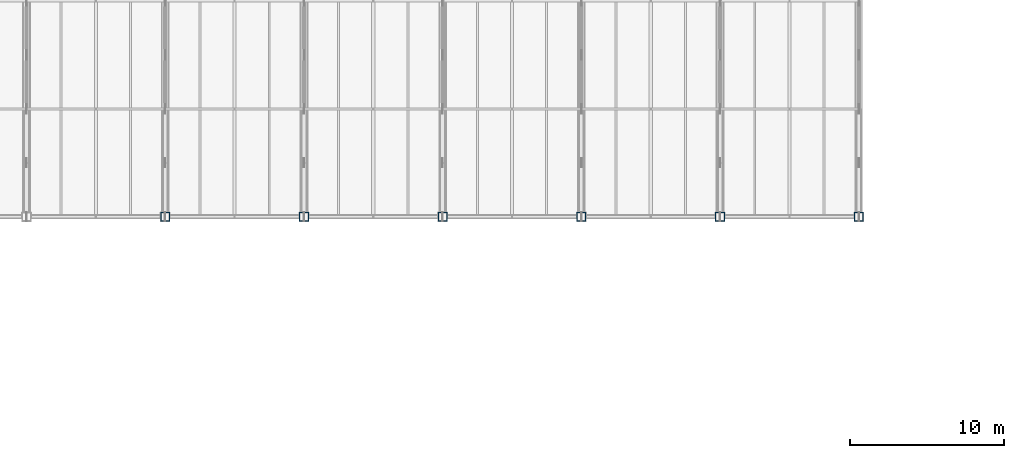
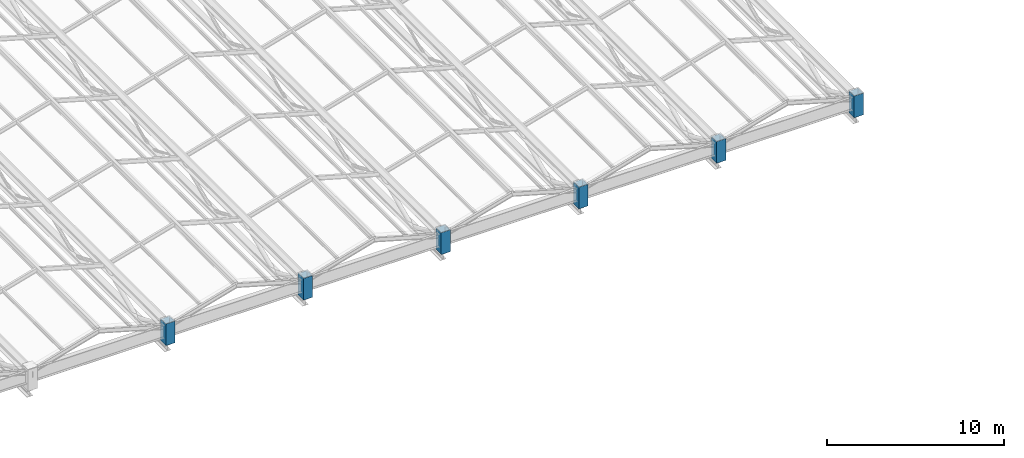
# One storey, part 7 of 108: 6 columns.
"""IFC4 building model written with IfcOpenShell, lengths in metres."""

import ifcopenshell
import ifcopenshell.guid

model = None  # the IFC model being written
_history = None  # IfcOwnerHistory: only IFC2X3 demands one
_inside = {}  # id of a spatial element -> (the spatial element, [elements in it])
_under = {}  # id of a project, library or spatial element -> (it, [spatial elements below it])
_declared = {}  # id of a project -> (the project, [libraries it declares])
_typed = {}  # id of a type object -> (the type object, [elements of that type])
_made_of = {}  # id of a material, layer set ... -> (it, [elements and type objects made of it])


def new_model(schema):
    """Start an empty IFC model of exactly this schema.

    Asked for "IFC4X3", IfcOpenShell would pick the latest addendum, in which some entities
    have other attributes; the version numbers below select the first issue.
    IFC2X3 requires an IfcOwnerHistory on every rooted entity: one is made here for all.
    """
    global model, _history
    if schema == "IFC4X3":
        model = ifcopenshell.file(schema_version=(4, 3, 0, 0))
    else:
        model = ifcopenshell.file(schema=schema)
    _inside.clear()
    _under.clear()
    _declared.clear()
    _typed.clear()
    _made_of.clear()
    _history = None
    if model.schema == "IFC2X3":
        org = make("IfcOrganization", Name="unknown")
        user = make(
            "IfcPersonAndOrganization",
            ThePerson=make("IfcPerson", FamilyName="unknown"),
            TheOrganization=org,
        )
        app = make(
            "IfcApplication",
            ApplicationDeveloper=org,
            Version="unknown",
            ApplicationFullName="unknown",
            ApplicationIdentifier="unknown",
        )
        _history = make(
            "IfcOwnerHistory",
            OwningUser=user,
            OwningApplication=app,
            ChangeAction="ADDED",
            CreationDate=0,
        )
    return model


def make(cls, **values):
    """One entity of the class cls with the attributes given. An attribute that is None is left unset."""
    return model.create_entity(
        cls, **{name: value for name, value in values.items() if value is not None}
    )


def rooted(cls, **values):
    """An entity with a GlobalId (a new one), such as an element, a storey or a relation."""
    return make(cls, GlobalId=ifcopenshell.guid.new(), OwnerHistory=_history, **values)


def si_unit(unit_type, name, prefix=None):
    """IfcSIUnit, for example si_unit("LENGTHUNIT", "METRE", prefix="MILLI")."""
    return make("IfcSIUnit", UnitType=unit_type, Prefix=prefix, Name=name)


def assignment(units):
    """IfcUnitAssignment: the units of a project."""
    return None if units is None else make("IfcUnitAssignment", Units=units)


def point(xyz):
    """IfcCartesianPoint."""
    return None if xyz is None else make("IfcCartesianPoint", Coordinates=xyz)


def direction(xyz):
    """IfcDirection."""
    return None if xyz is None else make("IfcDirection", DirectionRatios=xyz)


def frame(location, z_axis=None, x_axis=None):
    """IfcAxis2Placement3D, a coordinate frame: its origin and axes. An axis left out is left unset."""
    return make(
        "IfcAxis2Placement3D",
        Location=point(location),
        Axis=direction(z_axis),
        RefDirection=direction(x_axis),
    )


def frame_2d(location, x_axis=None):
    """IfcAxis2Placement2D, a coordinate frame in the plane: its origin and x axis."""
    return make(
        "IfcAxis2Placement2D", Location=point(location), RefDirection=direction(x_axis)
    )


def origin():
    """The frame at (0, 0, 0) with its axes left unset."""
    return frame((0.0, 0.0, 0.0))


def origin_2d():
    """The frame at (0, 0) in the plane with its x axis left unset."""
    return frame_2d((0.0, 0.0))


def place(relative_to, where):
    """IfcLocalPlacement: puts the frame where relative to a parent placement (None: the world)."""
    return make(
        "IfcLocalPlacement", PlacementRelTo=relative_to, RelativePlacement=where
    )


def context(
    kind, dimensions, precision=None, world=None, true_north=None, identifier=None
):
    """IfcGeometricRepresentationContext, for example the 3D "Model" context."""
    return make(
        "IfcGeometricRepresentationContext",
        ContextIdentifier=identifier,
        ContextType=kind,
        CoordinateSpaceDimension=dimensions,
        Precision=precision,
        WorldCoordinateSystem=world,
        TrueNorth=true_north,
    )


def subcontext(parent, identifier, kind, view, scale=None):
    """IfcGeometricRepresentationSubContext, for example "Body" below "Model"."""
    return make(
        "IfcGeometricRepresentationSubContext",
        ContextIdentifier=identifier,
        ContextType=kind,
        ParentContext=parent,
        TargetScale=scale,
        TargetView=view,
    )


def project(units=None, contexts=None):
    """IfcProject with its units and contexts."""
    return rooted(
        "IfcProject",
        Name="project",
        RepresentationContexts=contexts,
        UnitsInContext=assignment(units),
    )


def spatial(cls, under=None, at=None, **own):
    """A site, building, storey or space (cls), placed at a placement, below another one or the project."""
    s = rooted(cls, ObjectPlacement=at, **own)
    if under is not None:
        _under.setdefault(under.id(), (under, []))[1].append(s)
    return s


def profile(cls, at=None, kind="AREA", **sizes):
    """A parametric profile (cls). Its sizes go by their IFC names, for example OverallWidth=200.0."""
    return make(cls, ProfileType=kind, Position=at, **sizes)


def hollow_rectangle(**sizes):
    """IfcRectangleHollowProfileDef."""
    return profile("IfcRectangleHollowProfileDef", **sizes)


def extrude(swept, where, along, depth):
    """IfcExtrudedAreaSolid: the profile swept, set in the frame where, extruded along a direction by depth."""
    return make(
        "IfcExtrudedAreaSolid",
        SweptArea=swept,
        Position=where,
        ExtrudedDirection=direction(along),
        Depth=depth,
    )


def shape(context_of_items, identifier, shape_type, items):
    """IfcShapeRepresentation: the items that make up one representation, for example the "Body"."""
    return make(
        "IfcShapeRepresentation",
        ContextOfItems=context_of_items,
        RepresentationIdentifier=identifier,
        RepresentationType=shape_type,
        Items=items,
    )


def material(Name=None, Category=None):
    """IfcMaterial."""
    return make("IfcMaterial", Name=Name, Category=Category)


def material_profile(
    of_material, cross_section, Name=None, Category=None, Priority=None
):
    """IfcMaterialProfile: a cross section and its material."""
    return make(
        "IfcMaterialProfile",
        Name=Name,
        Material=of_material,
        Profile=cross_section,
        Priority=Priority,
        Category=Category,
    )


def profile_set(profiles, Name=None, composite=None):
    """IfcMaterialProfileSet."""
    return make(
        "IfcMaterialProfileSet",
        Name=Name,
        MaterialProfiles=profiles,
        CompositeProfile=composite,
    )


def made_of(thing, what):
    """Note that an element or type object is made of a material, layer set ...; save() writes the relation."""
    if what is not None:
        _made_of.setdefault(what.id(), (what, []))[1].append(thing)
    return thing


def type_object(cls, material=None, **own):
    """A type object (cls), such as IfcWallType, which elements share."""
    return made_of(rooted(cls, **own), material)


def element(
    cls,
    number,
    at=None,
    inside=None,
    cuts=None,
    type_object=None,
    material=None,
    context=None,
    identifier="Body",
    shape_type=None,
    held_by="IfcProductDefinitionShape",
    body=None,
    shapes=None,
    **own,
):
    """One element of the class cls, such as IfcWall. Its Tag is "e" and its number.

    at: its placement. inside: the storey or other place that contains it. cuts: it is an
    opening in that element (IfcRelVoidsElement). A single representation is given by context,
    identifier, shape_type and body (its items); several are given by shapes. held_by: the class
    of the entity that holds the representations. save() writes the other relations.
    """
    e = rooted(cls, Tag="e%d" % number, ObjectPlacement=at, **own)
    if body is not None:
        shapes = [shape(context, identifier, shape_type, body)]
    if shapes is not None:
        e.Representation = make(held_by, Representations=shapes)
    if inside is not None:
        _inside.setdefault(inside.id(), (inside, []))[1].append(e)
    if cuts is not None:
        rooted(
            "IfcRelVoidsElement", RelatingBuildingElement=cuts, RelatedOpeningElement=e
        )
    if type_object is not None:
        _typed.setdefault(type_object.id(), (type_object, []))[1].append(e)
    return made_of(e, material)


def aggregate(whole, parts):
    """IfcRelAggregates: a whole, such as a stair, and the parts it consists of."""
    return rooted("IfcRelAggregates", RelatingObject=whole, RelatedObjects=parts)


def save(model, path):
    """Write the relations noted so far, then the file.

    IfcRelAggregates (storeys below a building ...), IfcRelContainedInSpatialStructure (elements
    in a storey), IfcRelDefinesByType, IfcRelAssociatesMaterial and IfcRelDeclares: one each for
    every whole, place, type object, material and project.
    """
    for whole, parts in _under.values():
        aggregate(whole, parts)
    for where, things in _inside.values():
        rooted(
            "IfcRelContainedInSpatialStructure",
            RelatedElements=things,
            RelatingStructure=where,
        )
    for kind, things in _typed.values():
        rooted("IfcRelDefinesByType", RelatedObjects=things, RelatingType=kind)
    for what, things in _made_of.values():
        rooted("IfcRelAssociatesMaterial", RelatedObjects=things, RelatingMaterial=what)
    for by, libraries in _declared.values():
        rooted("IfcRelDeclares", RelatingContext=by, RelatedDefinitions=libraries)
    model.write(path)


model = new_model("IFC4")

# Units and contexts
model_context = context("Model", 3, precision=1e-05, world=origin(), true_north=direction((0.0, 1.0)))
body_context = subcontext(model_context, "Body", "Model", "MODEL_VIEW")
ifc_project = project(units=[si_unit("LENGTHUNIT", "METRE"), si_unit("AREAUNIT", "SQUARE_METRE"), si_unit("VOLUMEUNIT", "CUBIC_METRE"), si_unit("PLANEANGLEUNIT", "RADIAN"), si_unit("MASSUNIT", "GRAM", prefix="KILO")], contexts=[model_context])

# Site, building, storey
site_placement = place(None, origin())
site = spatial("IfcSite", under=ifc_project, at=site_placement, CompositionType="ELEMENT")
building_placement = place(site_placement, origin())
building = spatial("IfcBuilding", under=site, at=building_placement, Name="Suzunagisa Mobility Hub", CompositionType="ELEMENT")
storey_placement = place(building_placement, frame((0.0, 0.0, 9.300048828125)))
storey = spatial("IfcBuildingStorey", under=building, at=storey_placement, Name="L02", CompositionType="ELEMENT", Elevation=9.300048828125)

# Columns
ifc_material = material(Name="Steel SN490B", Category="steel")
ifc_material_profile = material_profile(ifc_material, hollow_rectangle(XDim=0.60009765625, YDim=0.60009765625, WallThickness=0.031982421875, at=origin_2d()), Name="BOX-600x600x32")
ifc_profile_set = profile_set([ifc_material_profile], Name="Steel SN490B")
column_type = type_object("IfcColumnType", Name="Steel Column CL-05 BOX-600x600x32", PredefinedType="COLUMN", material=ifc_profile_set)
for number, where, z_axis, x_axis, name in (
    (1, (72.0, 36.0, 0.0), (0.0, 0.0, 1.0), (1.0, 0.0, 0.0), "L02 Column 151"),
    (2, (81.0, 36.0, 0.0), (0.0, 0.0, 1.0), (1.0, 0.0, 0.0), "L02 Column 167"),
    (3, (90.0, 36.0, 0.0), (0.0, 0.0, 1.0), (1.0, 0.0, 0.0), "L02 Column 183"),
    (4, (99.0, 36.0, 0.0), (0.0, 0.0, 1.0), (1.0, 0.0, 0.0), "L02 Column 192"),
    (5, (108.0, 36.0, 0.0), (0.0, 0.0, 1.0), (1.0, 0.0, 0.0), "L02 Column 201"),
    (6, (117.0, 36.0, 0.0), (0.0, 0.0, 1.0), (1.0, 0.0, 0.0), "L02 Column 212"),
):
    element("IfcColumn", number, at=place(storey_placement, frame(where, z_axis=z_axis, x_axis=x_axis)), inside=storey, type_object=column_type, Name=name, PredefinedType="COLUMN", context=body_context, shape_type="SweptSolid", body=[
        extrude(hollow_rectangle(XDim=0.60009765625, YDim=0.60009765625, WallThickness=0.031982421875, at=origin_2d()), origin(), (0.0, 0.0, 1.0), 1.5),
    ])

save(model, "model.ifc")
